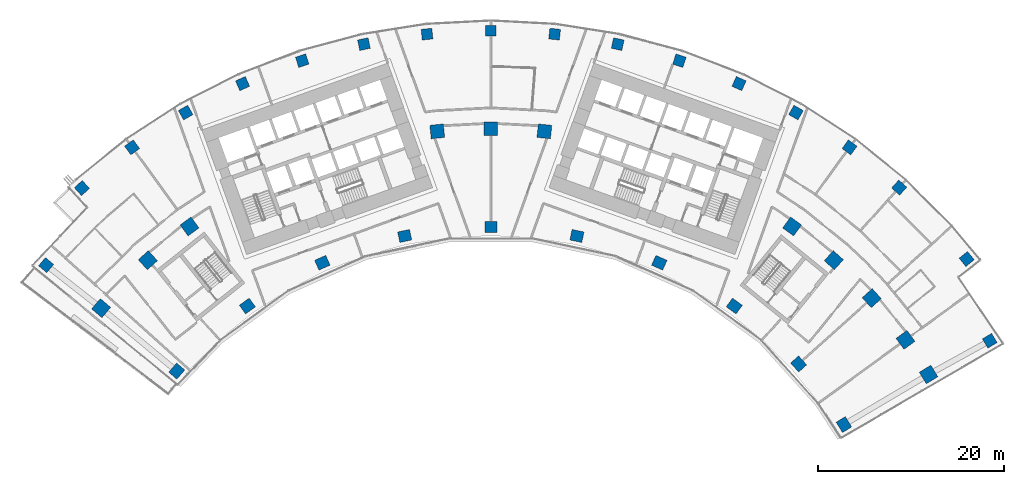
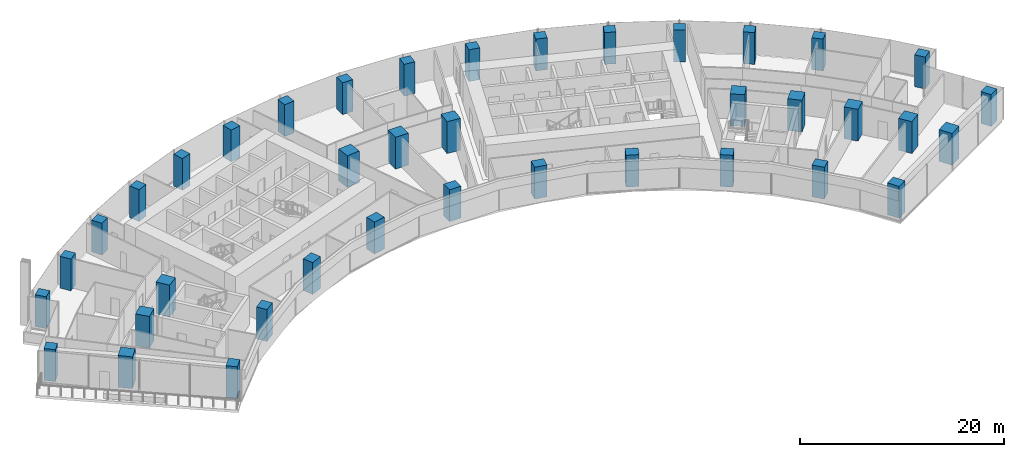
# One storey, part 1 of 20: 39 columns.
"""IFC4 building model written with IfcOpenShell, lengths in metres."""

from ifc_helpers import new_model, si_unit, direction, frame, origin, origin_2d, place, context, subcontext, project, spatial, rectangle, extrude, material, material_profile, profile_set, type_object, element, save


model = new_model("IFC4")

# Units and contexts
model_context = context("Model", 3, precision=1e-05, world=origin(), true_north=direction((0.0, 1.0)))
body_context = subcontext(model_context, "Body", "Model", "MODEL_VIEW")
ifc_project = project(units=[si_unit("LENGTHUNIT", "METRE"), si_unit("AREAUNIT", "SQUARE_METRE"), si_unit("VOLUMEUNIT", "CUBIC_METRE"), si_unit("PLANEANGLEUNIT", "RADIAN"), si_unit("MASSUNIT", "GRAM", prefix="KILO")], contexts=[model_context])

# Site, building, storey
site_placement = place(None, origin())
site = spatial("IfcSite", under=ifc_project, at=site_placement, CompositionType="ELEMENT")
building_placement = place(site_placement, origin())
building = spatial("IfcBuilding", under=site, at=building_placement, Name="Stone Belt Terrace Tower", CompositionType="ELEMENT")
storey_placement = place(building_placement, frame((0.0, 0.0, 102.199951171875)))
storey = spatial("IfcBuildingStorey", under=building, at=storey_placement, Name="L24", CompositionType="ELEMENT", Elevation=102.199951171875)

# Columns
ifc_material = material(Name="Concrete B80", Category="concrete")
ifc_material_profile_1 = material_profile(ifc_material, rectangle(XDim=1.14990234375, YDim=1.14990234375, at=origin_2d()), Name="RC 1150x1150")
ifc_profile_set_1 = profile_set([ifc_material_profile_1], Name="Concrete B80")
column_type_1 = type_object("IfcColumnType", Name="Column RC 1150x1150 B80", PredefinedType="COLUMN", material=ifc_profile_set_1)
for number, where, z_axis, x_axis, name in (
    (1, (-47.71826171875, 40.34619140625, 0.0), (0.0, 0.0, 1.0), (0.645656294153, 0.763628148918, 0.0), "Column L24 RA"),
    (2, (53.53662109375, 32.228515625, 0.0), (0.0, 0.0, 1.0), (0.515750011733, -0.856739123303, 0.0), "Column L24 RB"),
    (3, (-43.87939453125, 48.614501953125, 0.0), (0.0, 0.0, 1.0), (0.742333790389, 0.67003025577, 0.0), "Column L24 RNA"),
    (4, (-38.493408203125, 52.981689453125, 0.0), (0.0, 0.0, 1.0), (0.809016994375, 0.587785252292, 0.0), "Column L24 R16"),
    (5, (-32.744384765625, 56.715087890625, 0.0), (0.0, 0.0, 1.0), (0.866025403784, 0.5, 0.0), "Column L24 R17"),
    (6, (-26.63671875, 59.8271484375, 0.0), (0.0, 0.0, 1.0), (0.913545457643, 0.406736643076, 0.0), "Column L24 R18"),
    (7, (-20.2373046875, 62.28369140625, 0.0), (0.0, 0.0, 1.0), (0.951056516295, 0.309016994375, 0.0), "Column L24 R19"),
    (8, (-13.615966796875, 64.057861328125, 0.0), (0.0, 0.0, 1.0), (0.978147600734, 0.207911690818, 0.0), "Column L24 R20"),
    (9, (-6.845458984375, 65.130126953125, 0.0), (0.0, 0.0, 1.0), (0.994521895368, 0.104528463268, 0.0), "Column L24 R21"),
    (10, (0.0, 65.489013671875, 0.0), (0.0, 0.0, 1.0), (1.0, 0.0, 0.0), "Column L24 R22"),
    (11, (6.845458984375, 65.130126953125, 0.0), (0.0, 0.0, 1.0), (0.994521895368, -0.104528463268, 0.0), "Column L24 R23"),
    (12, (13.615966796875, 64.057861328125, 0.0), (0.0, 0.0, 1.0), (0.978147600734, -0.207911690818, 0.0), "Column L24 R24"),
    (13, (20.2373046875, 62.28369140625, 0.0), (0.0, 0.0, 1.0), (0.951056516295, -0.309016994375, 0.0), "Column L24 R25"),
    (14, (26.63671875, 59.8271484375, 0.0), (0.0, 0.0, 1.0), (0.913545457643, -0.406736643076, 0.0), "Column L24 R26"),
    (15, (32.744384765625, 56.715087890625, 0.0), (0.0, 0.0, 1.0), (0.866025403784, -0.5, 0.0), "Column L24 R27"),
    (16, (38.493408203125, 52.981689453125, 0.0), (0.0, 0.0, 1.0), (0.809016994375, -0.587785252292, 0.0), "Column L24 R28"),
    (17, (43.820556640625, 48.667724609375, 0.0), (0.0, 0.0, 1.0), (0.743144825477, -0.669130606359, 0.0), "Column L24 R29"),
    (18, (51.064208984375, 41.002685546875, 0.0), (0.0, 0.0, 1.0), (0.626104488961, -0.779739167224, 0.0), "Column L24 RNB"),
):
    element("IfcColumn", number, at=place(storey_placement, frame(where, z_axis=z_axis, x_axis=x_axis)), inside=storey, type_object=column_type_1, Name=name, PredefinedType="COLUMN", context=body_context, shape_type="SweptSolid", body=[
        extrude(rectangle(XDim=1.14990234375, YDim=1.14990234375, at=origin_2d()), origin(), (0.0, 0.0, 1.0), 3.800048828125),
    ])
ifc_material_profile_2 = material_profile(ifc_material, rectangle(XDim=1.300048828125, YDim=1.14990234375, at=origin_2d()), Name="RC 1300x1150")
ifc_profile_set_2 = profile_set([ifc_material_profile_2], Name="Concrete B80")
column_type_2 = type_object("IfcColumnType", Name="Column RC 1300x1150 B80", PredefinedType="COLUMN", material=ifc_profile_set_2)
for number, where, z_axis, x_axis, name in (
    (19, (-33.7021484375, 28.974365234375, 0.0), (0.0, 0.0, 1.0), (0.651917107608, 0.758290237843, 0.0), "Column L24 PA"),
    (20, (-26.1240234375, 35.956787109375, 0.0), (0.0, 0.0, 1.0), (0.809016994375, 0.587785252292, 0.0), "Column L24 P16"),
    (21, (-18.077392578125, 40.6025390625, 0.0), (0.0, 0.0, 1.0), (0.913545457643, 0.406736643076, 0.0), "Column L24 P18"),
    (22, (-9.240478515625, 43.473876953125, 0.0), (0.0, 0.0, 1.0), (0.978147600734, 0.207911690818, 0.0), "Column L24 P20"),
    (23, (0.0, 44.445068359375, 0.0), (0.0, 0.0, 1.0), (1.0, 0.0, 0.0), "Column L24 P22"),
    (24, (9.240478515625, 43.473876953125, 0.0), (0.0, 0.0, 1.0), (0.978147600734, -0.207911690818, 0.0), "Column L24 P24"),
    (25, (18.077392578125, 40.6025390625, 0.0), (0.0, 0.0, 1.0), (0.913545457643, -0.406736643076, 0.0), "Column L24 P26"),
    (26, (26.1240234375, 35.956787109375, 0.0), (0.0, 0.0, 1.0), (0.809016994375, -0.587785252292, 0.0), "Column L24 P28"),
    (27, (33.029052734375, 29.739501953125, 0.0), (0.0, 0.0, 1.0), (0.669130606359, -0.743144825477, 0.0), "Column L24 P30"),
    (28, (37.887939453125, 23.235107421875, 0.0), (0.0, 0.0, 1.0), (0.522781282168, -0.852466850391, 0.0), "Column L24 PB"),
):
    element("IfcColumn", number, at=place(storey_placement, frame(where, z_axis=z_axis, x_axis=x_axis)), inside=storey, type_object=column_type_2, Name=name, PredefinedType="COLUMN", context=body_context, shape_type="SweptSolid", body=[
        extrude(rectangle(XDim=1.300048828125, YDim=1.14990234375, at=origin_2d()), origin(), (0.0, 0.0, 1.0), 3.800048828125),
    ])
ifc_material_profile_3 = material_profile(ifc_material, rectangle(XDim=1.449951171875, YDim=1.449951171875, at=origin_2d()), Name="RC 1450x1450")
ifc_profile_set_3 = profile_set([ifc_material_profile_3], Name="Concrete B80")
column_type_3 = type_object("IfcColumnType", Name="Column RC 1450x1450 B80", PredefinedType="COLUMN", material=ifc_profile_set_3)
for number, where, z_axis, x_axis, name in (
    (29, (-41.814697265625, 35.728515625, 0.0), (0.0, 0.0, 1.0), (0.649608620058, 0.760268795063, 0.0), "Column L24 QA"),
    (30, (-36.80224609375, 40.873046875, 0.0), (0.0, 0.0, 1.0), (0.743144825477, 0.669130606359, 0.0), "Column L24 Q15"),
    (31, (-32.328125, 44.495849609375, 0.0), (0.0, 0.0, 1.0), (0.809016994375, 0.587785252292, 0.0), "Column L24 Q16"),
    (32, (-5.7490234375, 54.69873046875, 0.0), (0.0, 0.0, 1.0), (0.994521895368, 0.104528463268, 0.0), "Column L24 Q21"),
    (33, (0.0, 55.0, 0.0), (0.0, 0.0, 1.0), (1.0, 0.0, 0.0), "Column L24 Q22"),
    (34, (5.7490234375, 54.69873046875, 0.0), (0.0, 0.0, 1.0), (0.994521895368, -0.104528463268, 0.0), "Column L24 Q23"),
    (35, (32.328125, 44.495849609375, 0.0), (0.0, 0.0, 1.0), (0.809016994375, -0.587785252292, 0.0), "Column L24 Q28"),
    (36, (36.80224609375, 40.873046875, 0.0), (0.0, 0.0, 1.0), (0.743144825477, -0.669130606359, 0.0), "Column L24 Q29"),
    (37, (40.873046875, 36.80224609375, 0.0), (0.0, 0.0, 1.0), (0.669130606359, -0.743144825477, 0.0), "Column L24 Q30"),
    (38, (44.495849609375, 32.328125, 0.0), (0.0, 0.0, 1.0), (0.587785252292, -0.809016994375, 0.0), "Column L24 Q31"),
    (39, (46.972900390625, 28.610107421875, 0.0), (0.0, 0.0, 1.0), (0.520185570168, -0.854053260979, 0.0), "Column L24 QB"),
):
    element("IfcColumn", number, at=place(storey_placement, frame(where, z_axis=z_axis, x_axis=x_axis)), inside=storey, type_object=column_type_3, Name=name, PredefinedType="COLUMN", context=body_context, shape_type="SweptSolid", body=[
        extrude(rectangle(XDim=1.449951171875, YDim=1.449951171875, at=origin_2d()), origin(), (0.0, 0.0, 1.0), 3.800048828125),
    ])

save(model, "model.ifc")
